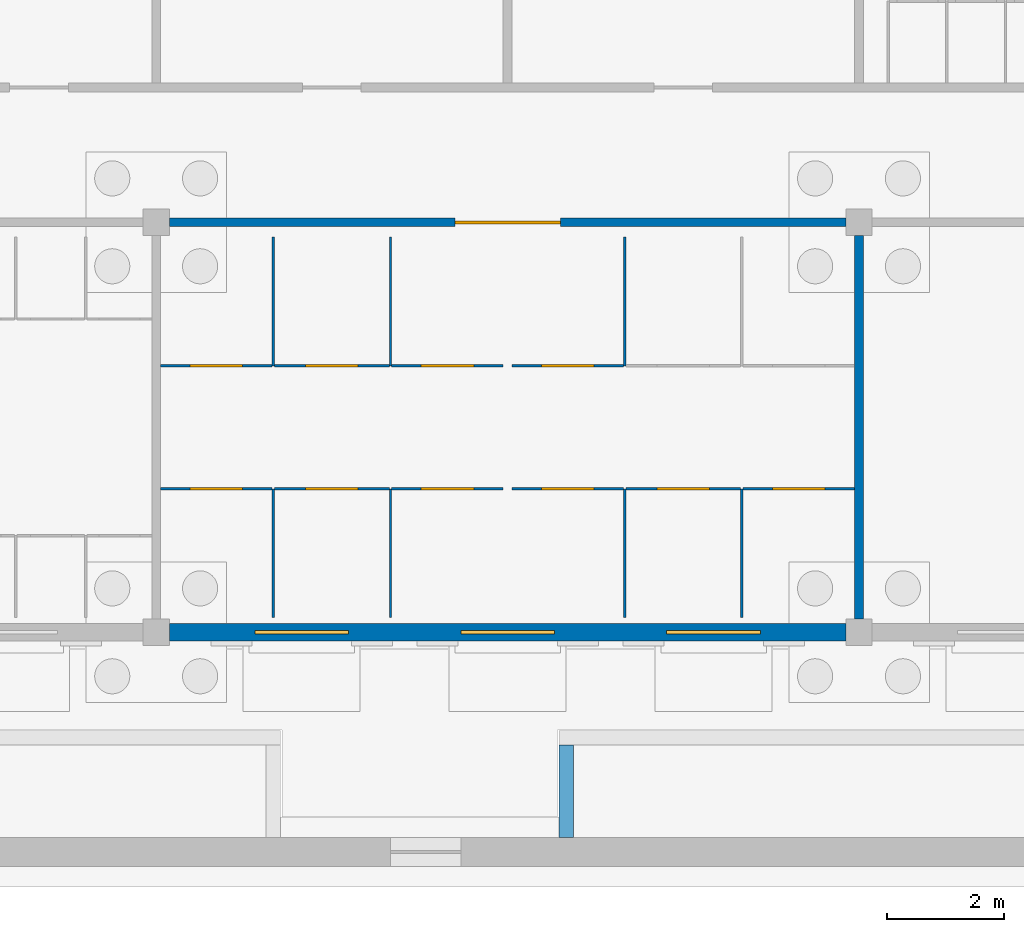
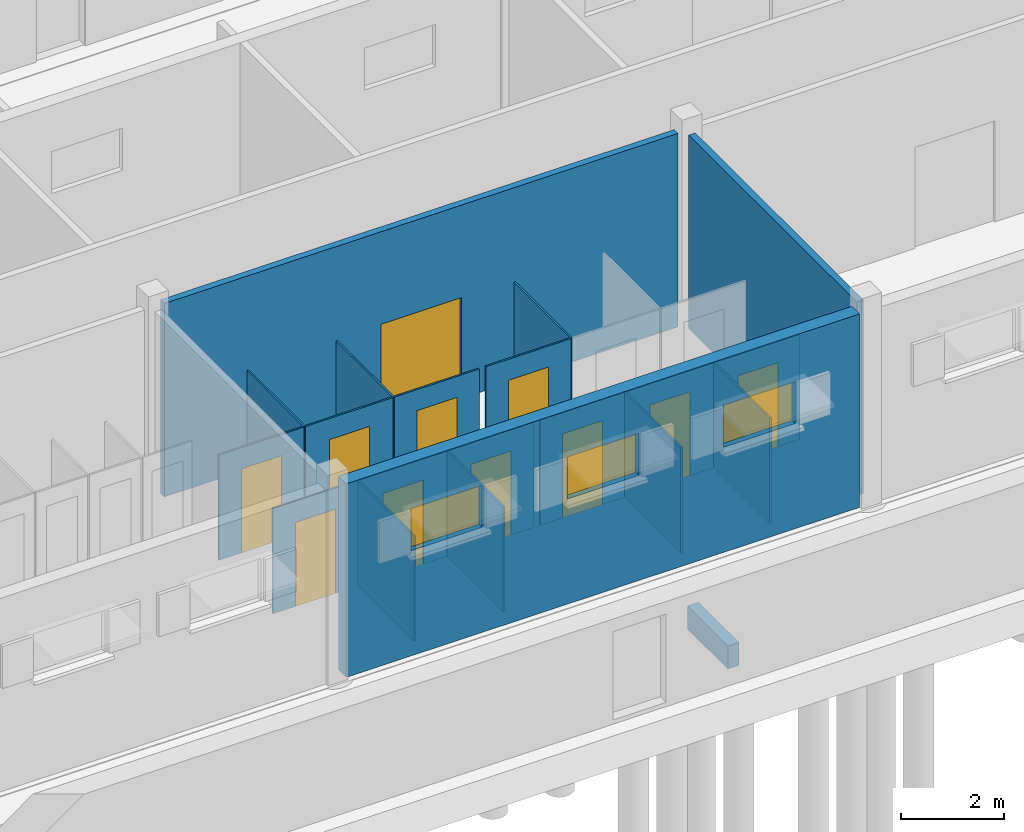
# One storey, part 86 of 157: 21 walls, 11 doors, 3 windows, 14 openings.
"""IFC4 building model written with IfcOpenShell, lengths in metres."""

from ifc_helpers import new_model, si_unit, direction, frame, frame_2d, origin, place, context, subcontext, project, spatial, rectangle, extrude, material, layer, layer_set, type_object, element, fill, save


model = new_model("IFC4")

# Units and contexts
model_context = context("Model", 3, precision=1e-05, world=origin(), true_north=direction((0.0, 1.0)))
body_context = subcontext(model_context, "Body", "Model", "MODEL_VIEW")
ifc_project = project(units=[si_unit("LENGTHUNIT", "METRE"), si_unit("AREAUNIT", "SQUARE_METRE"), si_unit("VOLUMEUNIT", "CUBIC_METRE"), si_unit("PLANEANGLEUNIT", "RADIAN"), si_unit("MASSUNIT", "GRAM", prefix="KILO")], contexts=[model_context])

# Site, building, storey
site_placement = place(None, origin())
site = spatial("IfcSite", under=ifc_project, at=site_placement, CompositionType="ELEMENT")
building_placement = place(site_placement, origin())
building = spatial("IfcBuilding", under=site, at=building_placement, Name="Windward Yard Aquatics Centre", CompositionType="ELEMENT")
storey_placement = place(building_placement, origin())
storey = spatial("IfcBuildingStorey", under=building, at=storey_placement, Name="L00", CompositionType="ELEMENT", Elevation=0.0)

# Wall, opening, door
ifc_material_1 = material(Name="Concrete masonry unit plastered", Category="masonry")
ifc_layer_1 = layer(ifc_material_1, 0.14990234375)
ifc_layer_set_1 = layer_set([ifc_layer_1], Name="C block partition 150")
wall_type_1 = type_object("IfcWallType", Name="C block partition 150", PredefinedType="PARTITIONING", material=ifc_layer_set_1)
wall_1_placement = place(storey_placement, frame((96.22509765625, 12.0, 0.0), z_axis=(0.0, 0.0, 1.0), x_axis=(1.0, 0.0, 0.0)))
wall_1 = element("IfcWall", 1, at=wall_1_placement, inside=storey, type_object=wall_type_1, Name="C.W.L00.SP.S.5", PredefinedType="PARTITIONING", context=body_context, shape_type="SweptSolid", body=[
    extrude(rectangle(XDim=11.5498046875, YDim=0.14990234375, at=frame_2d((5.77490234375, 0.0))), origin(), (0.0, 0.0, 1.0), 4.60009765625),
])
opening_1_placement = place(wall_1_placement, frame((4.875, 0.0, 0.0)))
opening_1 = element("IfcOpeningElement", 2, at=opening_1_placement, cuts=wall_1, Name="Opening C0009", PredefinedType="OPENING", context=body_context, shape_type="SweptSolid", body=[
    extrude(rectangle(XDim=1.800048828125, YDim=2.39990234375, at=frame_2d((0.89990234375, 1.199951171875))), frame((0.0, 0.0849609375, 0.0), z_axis=(0.0, -1.0, 0.0), x_axis=(1.0, 0.0, 0.0)), (0.0, 0.0, 1.0), 0.169921875),
])
ifc_material_2 = material(Name="Timber door leaf in steel frame", Category="steel")
door_type_1 = type_object("IfcDoorType", Name="C double door 1800X2400 FD30S", OperationType="DOUBLE_DOOR_SINGLE_SWING", PredefinedType="DOOR", material=ifc_material_2)
door_1_placement = place(opening_1_placement, origin())
door_1 = element("IfcDoor", 3, at=door_1_placement, inside=storey, type_object=door_type_1, Name="Door C0009", OperationType="DOUBLE_DOOR_SINGLE_SWING", OverallHeight=2.39990234375, OverallWidth=1.800048828125, PredefinedType="DOOR", context=body_context, shape_type="SweptSolid", body=[
    extrude(rectangle(XDim=1.800048828125, YDim=2.39990234375, at=frame_2d((0.89990234375, 1.199951171875))), frame((0.0, 0.02490234375, 0.0), z_axis=(0.0, -1.0, 0.0), x_axis=(1.0, 0.0, 0.0)), (0.0, 0.0, 1.0), 0.050048828125),
])
fill(opening_1, door_1)

# Walls
wall_2_placement = place(storey_placement, frame((108.0, 5.22509765625, 0.0), z_axis=(0.0, 0.0, 1.0), x_axis=(0.0, 1.0, 0.0)))
element("IfcWall", 4, at=wall_2_placement, inside=storey, type_object=wall_type_1, Name="C.W.L00.SD.56.1", PredefinedType="PARTITIONING", context=body_context, shape_type="SweptSolid", body=[
    extrude(rectangle(XDim=6.5498046875, YDim=0.14990234375, at=frame_2d((3.27490234375, 0.0))), origin(), (0.0, 0.0, 1.0), 4.60009765625),
])
ifc_material_3 = material(Name="High-pressure laminate panel on stainless frame")
ifc_layer_2 = layer(ifc_material_3, 0.0400390625)
ifc_layer_set_2 = layer_set([ifc_layer_2], Name="C cubicle panel 40")
wall_type_2 = type_object("IfcWallType", Name="C cubicle panel 40", PredefinedType="PARTITIONING", material=ifc_layer_set_2)
for number, where, z_axis, x_axis, name in (
    (5, (98.0, 5.25, 0.0), (0.0, 0.0, 1.0), (0.0, 1.0, 0.0), "C.W.L00.C.P1"),
    (6, (100.0, 5.25, 0.0), (0.0, 0.0, 1.0), (0.0, 1.0, 0.0), "C.W.L00.C.P2"),
    (7, (104.0, 5.25, 0.0), (0.0, 0.0, 1.0), (0.0, 1.0, 0.0), "C.W.L00.C.P4"),
    (8, (106.0, 5.25, 0.0), (0.0, 0.0, 1.0), (0.0, 1.0, 0.0), "C.W.L00.C.P5"),
):
    element("IfcWall", number, at=place(storey_placement, frame(where, z_axis=z_axis, x_axis=x_axis)), inside=storey, type_object=wall_type_2, Name=name, PredefinedType="PARTITIONING", context=body_context, shape_type="SweptSolid", body=[
        extrude(rectangle(XDim=2.199951171875, YDim=0.0400390625, at=frame_2d((1.10009765625, 0.0))), origin(), (0.0, 0.0, 1.0), 2.5),
    ])

# Wall, opening, door
wall_3_placement = place(storey_placement, frame((96.074951171875, 7.449951171875, 0.0), z_axis=(0.0, 0.0, 1.0), x_axis=(1.0, 0.0, 0.0)))
wall_3 = element("IfcWall", 9, at=wall_3_placement, inside=storey, type_object=wall_type_2, Name="C.W.L00.C.F0", PredefinedType="PARTITIONING", context=body_context, shape_type="SweptSolid", body=[
    extrude(rectangle(XDim=1.905029296875, YDim=0.0400390625, at=frame_2d((0.95263671875, 0.0))), origin(), (0.0, 0.0, 1.0), 2.5),
])
opening_2_placement = place(wall_3_placement, frame((0.50244140625, 0.0, 0.0)))
opening_2 = element("IfcOpeningElement", 10, at=opening_2_placement, cuts=wall_3, Name="Opening C0088", PredefinedType="OPENING", context=body_context, shape_type="SweptSolid", body=[
    extrude(rectangle(XDim=0.89990234375, YDim=2.0, at=frame_2d((0.449951171875, 1.0))), frame((0.0, 0.030029296875, 0.0), z_axis=(0.0, -1.0, 0.0), x_axis=(1.0, 0.0, 0.0)), (0.0, 0.0, 1.0), 0.06005859375),
])
ifc_material_4 = material(Name="High-pressure laminate door leaf")
door_type_2 = type_object("IfcDoorType", Name="C door 900X2000 NOT RATED", OperationType="SINGLE_SWING_LEFT", PredefinedType="DOOR", material=ifc_material_4)
door_2_placement = place(opening_2_placement, origin())
door_2 = element("IfcDoor", 11, at=door_2_placement, inside=storey, type_object=door_type_2, Name="Cubicle door C1", OperationType="SINGLE_SWING_LEFT", OverallHeight=2.0, OverallWidth=0.89990234375, PredefinedType="DOOR", context=body_context, shape_type="SweptSolid", body=[
    extrude(rectangle(XDim=0.89990234375, YDim=2.0, at=frame_2d((0.449951171875, 1.0))), frame((0.0, 0.019775390625, 0.0), z_axis=(0.0, -1.0, 0.0), x_axis=(1.0, 0.0, 0.0)), (0.0, 0.0, 1.0), 0.03955078125),
])
fill(opening_2, door_2)

wall_4_placement = place(storey_placement, frame((98.02001953125, 7.449951171875, 0.0), z_axis=(0.0, 0.0, 1.0), x_axis=(1.0, 0.0, 0.0)))
wall_4 = element("IfcWall", 12, at=wall_4_placement, inside=storey, type_object=wall_type_2, Name="C.W.L00.C.F1", PredefinedType="PARTITIONING", context=body_context, shape_type="SweptSolid", body=[
    extrude(rectangle(XDim=1.9599609375, YDim=0.0400390625, at=frame_2d((0.97998046875, 0.0))), origin(), (0.0, 0.0, 1.0), 2.5),
])
opening_3_placement = place(wall_4_placement, frame((0.530029296875, 0.0, 0.0)))
opening_3 = element("IfcOpeningElement", 13, at=opening_3_placement, cuts=wall_4, Name="Opening C0089", PredefinedType="OPENING", context=body_context, shape_type="SweptSolid", body=[
    extrude(rectangle(XDim=0.89990234375, YDim=2.0, at=frame_2d((0.449951171875, 1.0))), frame((0.0, 0.030029296875, 0.0), z_axis=(0.0, -1.0, 0.0), x_axis=(1.0, 0.0, 0.0)), (0.0, 0.0, 1.0), 0.06005859375),
])
door_3_placement = place(opening_3_placement, origin())
door_3 = element("IfcDoor", 14, at=door_3_placement, inside=storey, type_object=door_type_2, Name="Cubicle door C2", OperationType="SINGLE_SWING_LEFT", OverallHeight=2.0, OverallWidth=0.89990234375, PredefinedType="DOOR", context=body_context, shape_type="SweptSolid", body=[
    extrude(rectangle(XDim=0.89990234375, YDim=2.0, at=frame_2d((0.449951171875, 1.0))), frame((0.0, 0.019775390625, 0.0), z_axis=(0.0, -1.0, 0.0), x_axis=(1.0, 0.0, 0.0)), (0.0, 0.0, 1.0), 0.03955078125),
])
fill(opening_3, door_3)

wall_5_placement = place(storey_placement, frame((100.02001953125, 7.449951171875, 0.0), z_axis=(0.0, 0.0, 1.0), x_axis=(1.0, 0.0, 0.0)))
wall_5 = element("IfcWall", 15, at=wall_5_placement, inside=storey, type_object=wall_type_2, Name="C.W.L00.C.F2", PredefinedType="PARTITIONING", context=body_context, shape_type="SweptSolid", body=[
    extrude(rectangle(XDim=1.905029296875, YDim=0.0400390625, at=frame_2d((0.95263671875, 0.0))), origin(), (0.0, 0.0, 1.0), 2.5),
])
opening_4_placement = place(wall_5_placement, frame((0.50244140625, 0.0, 0.0)))
opening_4 = element("IfcOpeningElement", 16, at=opening_4_placement, cuts=wall_5, Name="Opening C0090", PredefinedType="OPENING", context=body_context, shape_type="SweptSolid", body=[
    extrude(rectangle(XDim=0.89990234375, YDim=2.0, at=frame_2d((0.449951171875, 1.0))), frame((0.0, 0.030029296875, 0.0), z_axis=(0.0, -1.0, 0.0), x_axis=(1.0, 0.0, 0.0)), (0.0, 0.0, 1.0), 0.06005859375),
])
door_4_placement = place(opening_4_placement, origin())
door_4 = element("IfcDoor", 17, at=door_4_placement, inside=storey, type_object=door_type_2, Name="Cubicle door C3", OperationType="SINGLE_SWING_LEFT", OverallHeight=2.0, OverallWidth=0.89990234375, PredefinedType="DOOR", context=body_context, shape_type="SweptSolid", body=[
    extrude(rectangle(XDim=0.89990234375, YDim=2.0, at=frame_2d((0.449951171875, 1.0))), frame((0.0, 0.019775390625, 0.0), z_axis=(0.0, -1.0, 0.0), x_axis=(1.0, 0.0, 0.0)), (0.0, 0.0, 1.0), 0.03955078125),
])
fill(opening_4, door_4)

wall_6_placement = place(storey_placement, frame((102.074951171875, 7.449951171875, 0.0), z_axis=(0.0, 0.0, 1.0), x_axis=(1.0, 0.0, 0.0)))
wall_6 = element("IfcWall", 18, at=wall_6_placement, inside=storey, type_object=wall_type_2, Name="C.W.L00.C.F3", PredefinedType="PARTITIONING", context=body_context, shape_type="SweptSolid", body=[
    extrude(rectangle(XDim=1.905029296875, YDim=0.0400390625, at=frame_2d((0.95263671875, 0.0))), origin(), (0.0, 0.0, 1.0), 2.5),
])
opening_5_placement = place(wall_6_placement, frame((0.50244140625, 0.0, 0.0)))
opening_5 = element("IfcOpeningElement", 19, at=opening_5_placement, cuts=wall_6, Name="Opening C0091", PredefinedType="OPENING", context=body_context, shape_type="SweptSolid", body=[
    extrude(rectangle(XDim=0.89990234375, YDim=2.0, at=frame_2d((0.449951171875, 1.0))), frame((0.0, 0.030029296875, 0.0), z_axis=(0.0, -1.0, 0.0), x_axis=(1.0, 0.0, 0.0)), (0.0, 0.0, 1.0), 0.06005859375),
])
door_5_placement = place(opening_5_placement, origin())
door_5 = element("IfcDoor", 20, at=door_5_placement, inside=storey, type_object=door_type_2, Name="Cubicle door C4", OperationType="SINGLE_SWING_LEFT", OverallHeight=2.0, OverallWidth=0.89990234375, PredefinedType="DOOR", context=body_context, shape_type="SweptSolid", body=[
    extrude(rectangle(XDim=0.89990234375, YDim=2.0, at=frame_2d((0.449951171875, 1.0))), frame((0.0, 0.019775390625, 0.0), z_axis=(0.0, -1.0, 0.0), x_axis=(1.0, 0.0, 0.0)), (0.0, 0.0, 1.0), 0.03955078125),
])
fill(opening_5, door_5)

wall_7_placement = place(storey_placement, frame((104.02001953125, 7.449951171875, 0.0), z_axis=(0.0, 0.0, 1.0), x_axis=(1.0, 0.0, 0.0)))
wall_7 = element("IfcWall", 21, at=wall_7_placement, inside=storey, type_object=wall_type_2, Name="C.W.L00.C.F4", PredefinedType="PARTITIONING", context=body_context, shape_type="SweptSolid", body=[
    extrude(rectangle(XDim=1.9599609375, YDim=0.0400390625, at=frame_2d((0.97998046875, 0.0))), origin(), (0.0, 0.0, 1.0), 2.5),
])
opening_6_placement = place(wall_7_placement, frame((0.530029296875, 0.0, 0.0)))
opening_6 = element("IfcOpeningElement", 22, at=opening_6_placement, cuts=wall_7, Name="Opening C0092", PredefinedType="OPENING", context=body_context, shape_type="SweptSolid", body=[
    extrude(rectangle(XDim=0.89990234375, YDim=2.0, at=frame_2d((0.449951171875, 1.0))), frame((0.0, 0.030029296875, 0.0), z_axis=(0.0, -1.0, 0.0), x_axis=(1.0, 0.0, 0.0)), (0.0, 0.0, 1.0), 0.06005859375),
])
door_6_placement = place(opening_6_placement, origin())
door_6 = element("IfcDoor", 23, at=door_6_placement, inside=storey, type_object=door_type_2, Name="Cubicle door C5", OperationType="SINGLE_SWING_LEFT", OverallHeight=2.0, OverallWidth=0.89990234375, PredefinedType="DOOR", context=body_context, shape_type="SweptSolid", body=[
    extrude(rectangle(XDim=0.89990234375, YDim=2.0, at=frame_2d((0.449951171875, 1.0))), frame((0.0, 0.019775390625, 0.0), z_axis=(0.0, -1.0, 0.0), x_axis=(1.0, 0.0, 0.0)), (0.0, 0.0, 1.0), 0.03955078125),
])
fill(opening_6, door_6)

wall_8_placement = place(storey_placement, frame((106.02001953125, 7.449951171875, 0.0), z_axis=(0.0, 0.0, 1.0), x_axis=(1.0, 0.0, 0.0)))
wall_8 = element("IfcWall", 24, at=wall_8_placement, inside=storey, type_object=wall_type_2, Name="C.W.L00.C.F5", PredefinedType="PARTITIONING", context=body_context, shape_type="SweptSolid", body=[
    extrude(rectangle(XDim=1.905029296875, YDim=0.0400390625, at=frame_2d((0.95263671875, 0.0))), origin(), (0.0, 0.0, 1.0), 2.5),
])
opening_7_placement = place(wall_8_placement, frame((0.50244140625, 0.0, 0.0)))
opening_7 = element("IfcOpeningElement", 25, at=opening_7_placement, cuts=wall_8, Name="Opening C0093", PredefinedType="OPENING", context=body_context, shape_type="SweptSolid", body=[
    extrude(rectangle(XDim=0.89990234375, YDim=2.0, at=frame_2d((0.449951171875, 1.0))), frame((0.0, 0.030029296875, 0.0), z_axis=(0.0, -1.0, 0.0), x_axis=(1.0, 0.0, 0.0)), (0.0, 0.0, 1.0), 0.06005859375),
])
door_7_placement = place(opening_7_placement, origin())
door_7 = element("IfcDoor", 26, at=door_7_placement, inside=storey, type_object=door_type_2, Name="Cubicle door C6", OperationType="SINGLE_SWING_LEFT", OverallHeight=2.0, OverallWidth=0.89990234375, PredefinedType="DOOR", context=body_context, shape_type="SweptSolid", body=[
    extrude(rectangle(XDim=0.89990234375, YDim=2.0, at=frame_2d((0.449951171875, 1.0))), frame((0.0, 0.019775390625, 0.0), z_axis=(0.0, -1.0, 0.0), x_axis=(1.0, 0.0, 0.0)), (0.0, 0.0, 1.0), 0.03955078125),
])
fill(opening_7, door_7)

# Walls
for number, where, z_axis, x_axis, name in (
    (27, (98.0, 11.75, 0.0), (0.0, 0.0, 1.0), (0.0, -1.0, 0.0), "C.W.L00.D.P1"),
    (28, (100.0, 11.75, 0.0), (0.0, 0.0, 1.0), (0.0, -1.0, 0.0), "C.W.L00.D.P2"),
    (29, (104.0, 11.75, 0.0), (0.0, 0.0, 1.0), (0.0, -1.0, 0.0), "C.W.L00.D.P4"),
):
    element("IfcWall", number, at=place(storey_placement, frame(where, z_axis=z_axis, x_axis=x_axis)), inside=storey, type_object=wall_type_2, Name=name, PredefinedType="PARTITIONING", context=body_context, shape_type="SweptSolid", body=[
        extrude(rectangle(XDim=2.199951171875, YDim=0.0400390625, at=frame_2d((1.10009765625, 0.0))), origin(), (0.0, 0.0, 1.0), 2.5),
    ])

# Wall, opening, door
wall_9_placement = place(storey_placement, frame((96.074951171875, 9.550048828125, 0.0), z_axis=(0.0, 0.0, 1.0), x_axis=(1.0, 0.0, 0.0)))
wall_9 = element("IfcWall", 30, at=wall_9_placement, inside=storey, type_object=wall_type_2, Name="C.W.L00.D.F0", PredefinedType="PARTITIONING", context=body_context, shape_type="SweptSolid", body=[
    extrude(rectangle(XDim=1.905029296875, YDim=0.0400390625, at=frame_2d((0.95263671875, 0.0))), origin(), (0.0, 0.0, 1.0), 2.5),
])
opening_8_placement = place(wall_9_placement, frame((0.50244140625, 0.0, 0.0)))
opening_8 = element("IfcOpeningElement", 31, at=opening_8_placement, cuts=wall_9, Name="Opening C0094", PredefinedType="OPENING", context=body_context, shape_type="SweptSolid", body=[
    extrude(rectangle(XDim=0.89990234375, YDim=2.0, at=frame_2d((0.449951171875, 1.0))), frame((0.0, 0.030029296875, 0.0), z_axis=(0.0, -1.0, 0.0), x_axis=(1.0, 0.0, 0.0)), (0.0, 0.0, 1.0), 0.06005859375),
])
door_8_placement = place(opening_8_placement, origin())
door_8 = element("IfcDoor", 32, at=door_8_placement, inside=storey, type_object=door_type_2, Name="Cubicle door D1", OperationType="SINGLE_SWING_LEFT", OverallHeight=2.0, OverallWidth=0.89990234375, PredefinedType="DOOR", context=body_context, shape_type="SweptSolid", body=[
    extrude(rectangle(XDim=0.89990234375, YDim=2.0, at=frame_2d((0.449951171875, 1.0))), frame((0.0, 0.019775390625, 0.0), z_axis=(0.0, -1.0, 0.0), x_axis=(1.0, 0.0, 0.0)), (0.0, 0.0, 1.0), 0.03955078125),
])
fill(opening_8, door_8)

wall_10_placement = place(storey_placement, frame((98.02001953125, 9.550048828125, 0.0), z_axis=(0.0, 0.0, 1.0), x_axis=(1.0, 0.0, 0.0)))
wall_10 = element("IfcWall", 33, at=wall_10_placement, inside=storey, type_object=wall_type_2, Name="C.W.L00.D.F1", PredefinedType="PARTITIONING", context=body_context, shape_type="SweptSolid", body=[
    extrude(rectangle(XDim=1.9599609375, YDim=0.0400390625, at=frame_2d((0.97998046875, 0.0))), origin(), (0.0, 0.0, 1.0), 2.5),
])
opening_9_placement = place(wall_10_placement, frame((0.530029296875, 0.0, 0.0)))
opening_9 = element("IfcOpeningElement", 34, at=opening_9_placement, cuts=wall_10, Name="Opening C0095", PredefinedType="OPENING", context=body_context, shape_type="SweptSolid", body=[
    extrude(rectangle(XDim=0.89990234375, YDim=2.0, at=frame_2d((0.449951171875, 1.0))), frame((0.0, 0.030029296875, 0.0), z_axis=(0.0, -1.0, 0.0), x_axis=(1.0, 0.0, 0.0)), (0.0, 0.0, 1.0), 0.06005859375),
])
door_9_placement = place(opening_9_placement, origin())
door_9 = element("IfcDoor", 35, at=door_9_placement, inside=storey, type_object=door_type_2, Name="Cubicle door D2", OperationType="SINGLE_SWING_LEFT", OverallHeight=2.0, OverallWidth=0.89990234375, PredefinedType="DOOR", context=body_context, shape_type="SweptSolid", body=[
    extrude(rectangle(XDim=0.89990234375, YDim=2.0, at=frame_2d((0.449951171875, 1.0))), frame((0.0, 0.019775390625, 0.0), z_axis=(0.0, -1.0, 0.0), x_axis=(1.0, 0.0, 0.0)), (0.0, 0.0, 1.0), 0.03955078125),
])
fill(opening_9, door_9)

wall_11_placement = place(storey_placement, frame((100.02001953125, 9.550048828125, 0.0), z_axis=(0.0, 0.0, 1.0), x_axis=(1.0, 0.0, 0.0)))
wall_11 = element("IfcWall", 36, at=wall_11_placement, inside=storey, type_object=wall_type_2, Name="C.W.L00.D.F2", PredefinedType="PARTITIONING", context=body_context, shape_type="SweptSolid", body=[
    extrude(rectangle(XDim=1.905029296875, YDim=0.0400390625, at=frame_2d((0.95263671875, 0.0))), origin(), (0.0, 0.0, 1.0), 2.5),
])
opening_10_placement = place(wall_11_placement, frame((0.50244140625, 0.0, 0.0)))
opening_10 = element("IfcOpeningElement", 37, at=opening_10_placement, cuts=wall_11, Name="Opening C0096", PredefinedType="OPENING", context=body_context, shape_type="SweptSolid", body=[
    extrude(rectangle(XDim=0.89990234375, YDim=2.0, at=frame_2d((0.449951171875, 1.0))), frame((0.0, 0.030029296875, 0.0), z_axis=(0.0, -1.0, 0.0), x_axis=(1.0, 0.0, 0.0)), (0.0, 0.0, 1.0), 0.06005859375),
])
door_10_placement = place(opening_10_placement, origin())
door_10 = element("IfcDoor", 38, at=door_10_placement, inside=storey, type_object=door_type_2, Name="Cubicle door D3", OperationType="SINGLE_SWING_LEFT", OverallHeight=2.0, OverallWidth=0.89990234375, PredefinedType="DOOR", context=body_context, shape_type="SweptSolid", body=[
    extrude(rectangle(XDim=0.89990234375, YDim=2.0, at=frame_2d((0.449951171875, 1.0))), frame((0.0, 0.019775390625, 0.0), z_axis=(0.0, -1.0, 0.0), x_axis=(1.0, 0.0, 0.0)), (0.0, 0.0, 1.0), 0.03955078125),
])
fill(opening_10, door_10)

wall_12_placement = place(storey_placement, frame((102.074951171875, 9.550048828125, 0.0), z_axis=(0.0, 0.0, 1.0), x_axis=(1.0, 0.0, 0.0)))
wall_12 = element("IfcWall", 39, at=wall_12_placement, inside=storey, type_object=wall_type_2, Name="C.W.L00.D.F3", PredefinedType="PARTITIONING", context=body_context, shape_type="SweptSolid", body=[
    extrude(rectangle(XDim=1.905029296875, YDim=0.0400390625, at=frame_2d((0.95263671875, 0.0))), origin(), (0.0, 0.0, 1.0), 2.5),
])
opening_11_placement = place(wall_12_placement, frame((0.50244140625, 0.0, 0.0)))
opening_11 = element("IfcOpeningElement", 40, at=opening_11_placement, cuts=wall_12, Name="Opening C0097", PredefinedType="OPENING", context=body_context, shape_type="SweptSolid", body=[
    extrude(rectangle(XDim=0.89990234375, YDim=2.0, at=frame_2d((0.449951171875, 1.0))), frame((0.0, 0.030029296875, 0.0), z_axis=(0.0, -1.0, 0.0), x_axis=(1.0, 0.0, 0.0)), (0.0, 0.0, 1.0), 0.06005859375),
])
door_11_placement = place(opening_11_placement, origin())
door_11 = element("IfcDoor", 41, at=door_11_placement, inside=storey, type_object=door_type_2, Name="Cubicle door D4", OperationType="SINGLE_SWING_LEFT", OverallHeight=2.0, OverallWidth=0.89990234375, PredefinedType="DOOR", context=body_context, shape_type="SweptSolid", body=[
    extrude(rectangle(XDim=0.89990234375, YDim=2.0, at=frame_2d((0.449951171875, 1.0))), frame((0.0, 0.019775390625, 0.0), z_axis=(0.0, -1.0, 0.0), x_axis=(1.0, 0.0, 0.0)), (0.0, 0.0, 1.0), 0.03955078125),
])
fill(opening_11, door_11)

# Wall, openings, windows
ifc_material_5 = material(Name="Natural stone cladding", Category="masonry")
ifc_layer_3 = layer(ifc_material_5, 0.04, Name="Cladding")
ifc_material_6 = material(Name="Ventilated air cavity")
ifc_layer_4 = layer(ifc_material_6, 0.04, ventilated=True, Name="Ventilated cavity")
ifc_material_7 = material(Name="Mineral wool insulation")
ifc_layer_5 = layer(ifc_material_7, 0.06, Name="Insulation")
ifc_material_8 = material(Name="Concrete C35/45", Category="concrete")
ifc_layer_6 = layer(ifc_material_8, 0.16, Name="Structure")
ifc_layer_set_3 = layer_set([ifc_layer_3, ifc_layer_4, ifc_layer_5, ifc_layer_6], Name="C stone-faced external wall 300")
wall_type_3 = type_object("IfcWallType", Name="C stone-faced external wall 300", PredefinedType="ELEMENTEDWALL", material=ifc_layer_set_3)
wall_13_placement = place(storey_placement, frame((96.22509765625, 5.0, 0.0), z_axis=(0.0, 0.0, 1.0), x_axis=(1.0, 0.0, 0.0)))
wall_13 = element("IfcWall", 42, at=wall_13_placement, inside=storey, type_object=wall_type_3, Name="C.W.L00.S5", PredefinedType="ELEMENTEDWALL", context=body_context, shape_type="SweptSolid", body=[
    extrude(rectangle(XDim=11.5498046875, YDim=0.300048828125, at=frame_2d((5.77490234375, 0.0))), origin(), (0.0, 0.0, 1.0), 4.60009765625),
])
opening_12_placement = place(wall_13_placement, frame((1.458251953125, 0.0, 2.5)))
opening_12 = element("IfcOpeningElement", 43, at=opening_12_placement, cuts=wall_13, Name="Opening CW0010", PredefinedType="OPENING", context=body_context, shape_type="SweptSolid", body=[
    extrude(rectangle(XDim=1.60009765625, YDim=1.0, at=frame_2d((0.800048828125, 0.5))), frame((0.0, 0.16015625, 0.0), z_axis=(0.0, -1.0, 0.0), x_axis=(1.0, 0.0, 0.0)), (0.0, 0.0, 1.0), 0.320068359375),
])
opening_13_placement = place(wall_13_placement, frame((4.97509765625, 0.0, 2.5)))
opening_13 = element("IfcOpeningElement", 44, at=opening_13_placement, cuts=wall_13, Name="Opening CW0011", PredefinedType="OPENING", context=body_context, shape_type="SweptSolid", body=[
    extrude(rectangle(XDim=1.60009765625, YDim=1.0, at=frame_2d((0.800048828125, 0.5))), frame((0.0, 0.16015625, 0.0), z_axis=(0.0, -1.0, 0.0), x_axis=(1.0, 0.0, 0.0)), (0.0, 0.0, 1.0), 0.320068359375),
])
opening_14_placement = place(wall_13_placement, frame((8.49169921875, 0.0, 2.5)))
opening_14 = element("IfcOpeningElement", 45, at=opening_14_placement, cuts=wall_13, Name="Opening CW0012", PredefinedType="OPENING", context=body_context, shape_type="SweptSolid", body=[
    extrude(rectangle(XDim=1.60009765625, YDim=1.0, at=frame_2d((0.800048828125, 0.5))), frame((0.0, 0.16015625, 0.0), z_axis=(0.0, -1.0, 0.0), x_axis=(1.0, 0.0, 0.0)), (0.0, 0.0, 1.0), 0.320068359375),
])
ifc_material_9 = material(Name="Aluminium framed double glazing", Category="aluminium")
window_type = type_object("IfcWindowType", Name="C window 1600X1000", PartitioningType="SINGLE_PANEL", PredefinedType="WINDOW", material=ifc_material_9)
window_1_placement = place(opening_12_placement, origin())
window_1 = element("IfcWindow", 46, at=window_1_placement, inside=storey, type_object=window_type, Name="Window CW0010", OverallHeight=1.0, OverallWidth=1.60009765625, PartitioningType="SINGLE_PANEL", PredefinedType="WINDOW", context=body_context, shape_type="SweptSolid", body=[
    extrude(rectangle(XDim=1.60009765625, YDim=1.0, at=frame_2d((0.800048828125, 0.5))), frame((0.0, 0.030029296875, 0.0), z_axis=(0.0, -1.0, 0.0), x_axis=(1.0, 0.0, 0.0)), (0.0, 0.0, 1.0), 0.06005859375),
])
fill(opening_12, window_1)
window_2_placement = place(opening_13_placement, origin())
window_2 = element("IfcWindow", 47, at=window_2_placement, inside=storey, type_object=window_type, Name="Window CW0011", OverallHeight=1.0, OverallWidth=1.60009765625, PartitioningType="SINGLE_PANEL", PredefinedType="WINDOW", context=body_context, shape_type="SweptSolid", body=[
    extrude(rectangle(XDim=1.60009765625, YDim=1.0, at=frame_2d((0.800048828125, 0.5))), frame((0.0, 0.030029296875, 0.0), z_axis=(0.0, -1.0, 0.0), x_axis=(1.0, 0.0, 0.0)), (0.0, 0.0, 1.0), 0.06005859375),
])
fill(opening_13, window_2)
window_3_placement = place(opening_14_placement, origin())
window_3 = element("IfcWindow", 48, at=window_3_placement, inside=storey, type_object=window_type, Name="Window CW0012", OverallHeight=1.0, OverallWidth=1.60009765625, PartitioningType="SINGLE_PANEL", PredefinedType="WINDOW", context=body_context, shape_type="SweptSolid", body=[
    extrude(rectangle(XDim=1.60009765625, YDim=1.0, at=frame_2d((0.800048828125, 0.5))), frame((0.0, 0.030029296875, 0.0), z_axis=(0.0, -1.0, 0.0), x_axis=(1.0, 0.0, 0.0)), (0.0, 0.0, 1.0), 0.06005859375),
])
fill(opening_14, window_3)

# Wall
ifc_material_10 = material(Name="Bituminous waterproofing membrane with root barrier")
ifc_layer_7 = layer(ifc_material_10, 0.005, Name="Waterproofing and root barrier")
ifc_material_11 = material(Name="Concrete C30/37", Category="concrete")
ifc_layer_8 = layer(ifc_material_11, 0.245, Name="Structure")
ifc_layer_set_4 = layer_set([ifc_layer_7, ifc_layer_8], Name="X Planter Wall Concrete C30/37 250 x 550")
wall_type_4 = type_object("IfcWallType", Name="X Planter Wall Concrete C30/37 250 x 550", PredefinedType="USERDEFINED", material=ifc_layer_set_4)
wall_14_placement = place(storey_placement, frame((103.0, 1.5, -0.10009765625), z_axis=(0.0, 0.0, 1.0), x_axis=(0.0, 1.0, 0.0)))
element("IfcWall", 49, at=wall_14_placement, inside=storey, type_object=wall_type_4, Name="Rail side berm east planter wall", ObjectType="PLANTER WALL", PredefinedType="USERDEFINED", context=body_context, shape_type="SweptSolid", body=[
    extrude(rectangle(XDim=1.574951171875, YDim=0.25, at=frame_2d((0.78759765625, 0.0))), origin(), (0.0, 0.0, 1.0), 0.550048828125),
])

save(model, "model.ifc")
